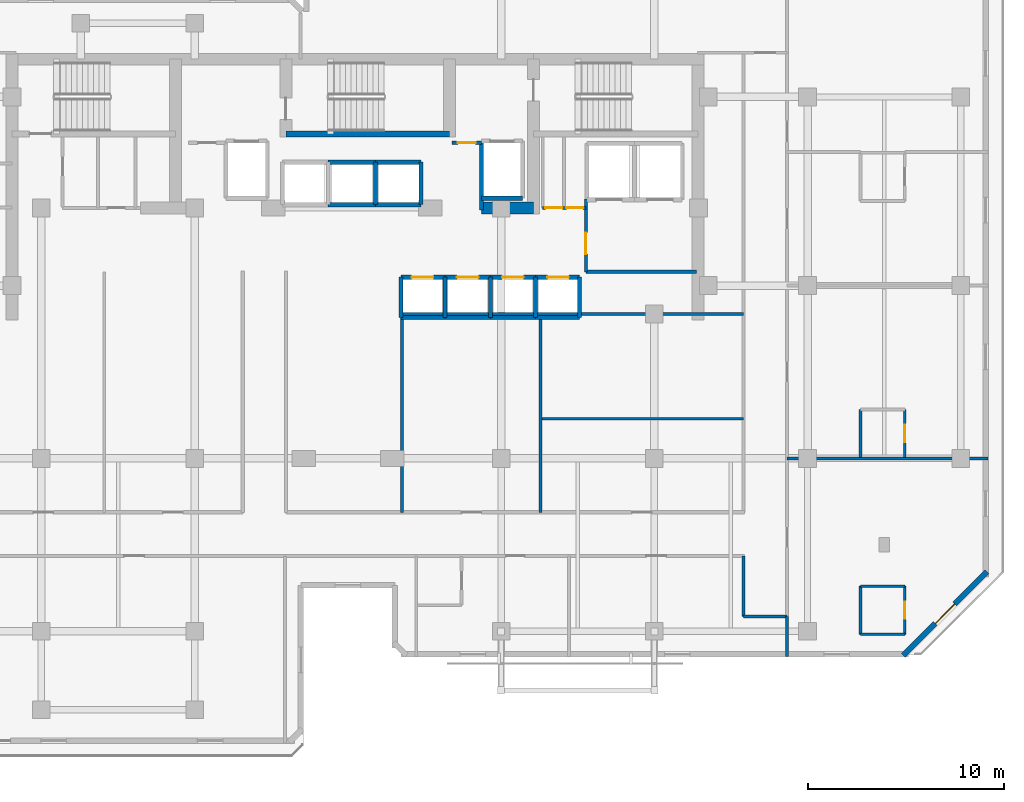
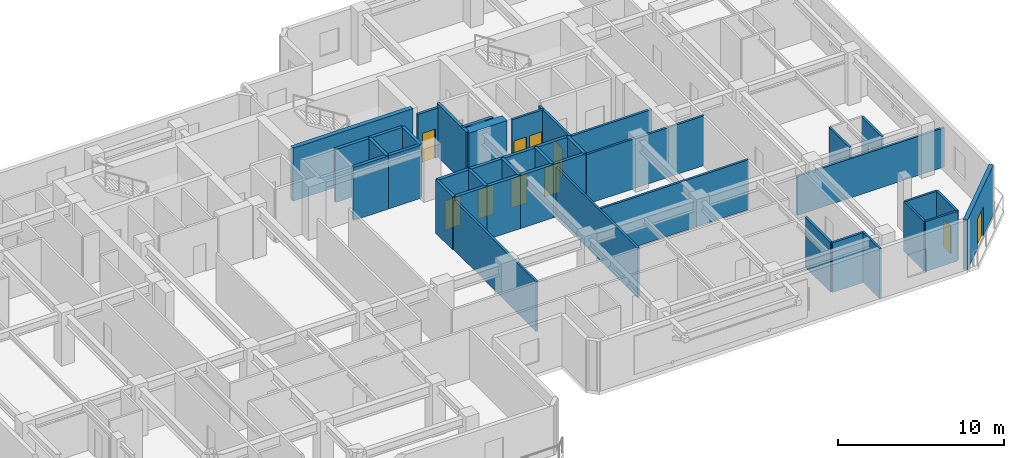
# One storey, part 6 of 10: 42 walls, 11 doors, 11 openings.
"""IFC4 building model written with IfcOpenShell, lengths in metres."""

from ifc_helpers import new_model, si_unit, direction, frame, frame_2d, origin, place, context, subcontext, project, spatial, rectangle, extrude, material, layer, layer_set, type_object, element, fill, save


model = new_model("IFC4")

# Units and contexts
model_context = context("Model", 3, precision=1e-05, world=origin(), true_north=direction((0.0, 1.0)))
body_context = subcontext(model_context, "Body", "Model", "MODEL_VIEW")
ifc_project = project(units=[si_unit("LENGTHUNIT", "METRE"), si_unit("AREAUNIT", "SQUARE_METRE"), si_unit("VOLUMEUNIT", "CUBIC_METRE"), si_unit("PLANEANGLEUNIT", "RADIAN"), si_unit("MASSUNIT", "GRAM", prefix="KILO")], contexts=[model_context])

# Site, building, storey
site_placement = place(None, origin())
site = spatial("IfcSite", under=ifc_project, at=site_placement, CompositionType="ELEMENT")
building_placement = place(site_placement, origin())
building = spatial("IfcBuilding", under=site, at=building_placement, Name="Kestravale Grand Hotel", CompositionType="ELEMENT")
storey_placement = place(building_placement, frame((0.0, 0.0, 189.0)))
storey = spatial("IfcBuildingStorey", under=building, at=storey_placement, Name="L47", CompositionType="ELEMENT", Elevation=189.0)

# Wall
ifc_material_1 = material(Name="Concrete f'c 50 MPa", Category="concrete")
ifc_layer_1 = layer(ifc_material_1, 0.60009765625)
ifc_layer_set_1 = layer_set([ifc_layer_1], Name="EW-CORE-600")
wall_type_1 = type_object("IfcWallType", Name="EW-CORE-600", PredefinedType="SHEAR", material=ifc_layer_set_1)
wall_1_placement = place(storey_placement, frame((45.81005859375, 32.75, 0.0), z_axis=(0.0, 0.0, 1.0), x_axis=(1.0, 0.0, 0.0)))
element("IfcWall", 1, at=wall_1_placement, inside=storey, type_object=wall_type_1, Name="L47 core shear wall S2", PredefinedType="SHEAR", context=body_context, shape_type="SweptSolid", body=[
    extrude(rectangle(XDim=2.639892578125, YDim=0.60009765625, at=frame_2d((1.31982421875, 0.0))), origin(), (0.0, 0.0, 1.0), 3.89990234375),
])

# Wall, opening, door
ifc_material_2 = material(Name="Precast concrete f'c 45 MPa", Category="concrete")
ifc_layer_2 = layer(ifc_material_2, 0.280029296875)
ifc_layer_set_2 = layer_set([ifc_layer_2], Name="EW-PREC-280")
wall_type_2 = type_object("IfcWallType", Name="EW-PREC-280", PredefinedType="SOLIDWALL", material=ifc_layer_set_2)
wall_2_placement = place(storey_placement, frame((67.272705078125, 9.970703125, 0.0), z_axis=(0.0, 0.0, 1.0), x_axis=(0.707106781187, 0.707106781187, 0.0)))
wall_2 = element("IfcWall", 2, at=wall_2_placement, inside=storey, type_object=wall_type_2, Name="L47 fluted precast facade wall 8", PredefinedType="SOLIDWALL", context=body_context, shape_type="SweptSolid", body=[
    extrude(rectangle(XDim=6.019775390625, YDim=0.280029296875, at=frame_2d((3.009765625, 0.0))), origin(), (0.0, 0.0, 1.0), 3.64990234375),
])
opening_1_placement = place(wall_2_placement, frame((2.309814453125, 0.0, 0.0)))
opening_1 = element("IfcOpeningElement", 3, at=opening_1_placement, cuts=wall_2, Name="Opening D-TERR-1400", PredefinedType="OPENING", context=body_context, shape_type="SweptSolid", body=[
    extrude(rectangle(XDim=1.39990234375, YDim=2.14990234375, at=frame_2d((0.699951171875, 1.074951171875))), frame((0.0, 0.14990234375, 0.0), z_axis=(0.0, -1.0, 0.0), x_axis=(1.0, 0.0, 0.0)), (0.0, 0.0, 1.0), 0.300048828125),
])
ifc_material_3 = material(Name="Insulated glazed champagne-bronze aluminium door", Category="aluminium")
door_type_1 = type_object("IfcDoorType", Name="D-TERR-1400", OperationType="NOTDEFINED", PredefinedType="DOOR", material=ifc_material_3)
door_1_placement = place(opening_1_placement, origin())
door_1 = element("IfcDoor", 4, at=door_1_placement, inside=storey, type_object=door_type_1, Name="L47 outdoor garden terrace door", OperationType="DOUBLE_DOOR_SINGLE_SWING", OverallHeight=2.14990234375, OverallWidth=1.39990234375, PredefinedType="DOOR", context=body_context, shape_type="SweptSolid", body=[
    extrude(rectangle(XDim=1.39990234375, YDim=2.14990234375, at=frame_2d((0.699951171875, 1.074951171875))), frame((0.0, 0.02490234375, 0.0), z_axis=(0.0, -1.0, 0.0), x_axis=(1.0, 0.0, 0.0)), (0.0, 0.0, 1.0), 0.050048828125),
])
fill(opening_1, door_1)

# Wall
ifc_material_4 = material(Name="Concrete f'c 45 MPa", Category="concrete")
ifc_layer_3 = layer(ifc_material_4, 0.300048828125)
ifc_layer_set_3 = layer_set([ifc_layer_3], Name="EW-STAIR-300")
wall_type_3 = type_object("IfcWallType", Name="EW-STAIR-300", PredefinedType="SHEAR", material=ifc_layer_set_3)
wall_3_placement = place(storey_placement, frame((35.85009765625, 36.52001953125, 0.0), z_axis=(0.0, 0.0, 1.0), x_axis=(1.0, 0.0, 0.0)))
element("IfcWall", 5, at=wall_3_placement, inside=storey, type_object=wall_type_3, Name="L47 stair enclosure shear wall SST2", PredefinedType="SHEAR", context=body_context, shape_type="SweptSolid", body=[
    extrude(rectangle(XDim=8.329833984375, YDim=0.300048828125, at=frame_2d((4.1650390625, 0.0))), origin(), (0.0, 0.0, 1.0), 3.89990234375),
])

# Wall, opening, door
ifc_material_5 = material(Name="Acoustic fire-rated gypsum board partition", Category="other")
ifc_layer_4 = layer(ifc_material_5, 0.159912109375)
ifc_layer_set_4 = layer_set([ifc_layer_4], Name="IW-CORR-160")
wall_type_4 = type_object("IfcWallType", Name="IW-CORR-160", PredefinedType="PARTITIONING", material=ifc_layer_set_4)
wall_4_placement = place(storey_placement, frame((51.1201171875, 29.5, 0.0), z_axis=(0.0, 0.0, 1.0), x_axis=(0.0, 1.0, 0.0)))
wall_4 = element("IfcWall", 6, at=wall_4_placement, inside=storey, type_object=wall_type_4, Name="W-L47-SVCLOB-W", PredefinedType="PARTITIONING", context=body_context, shape_type="SweptSolid", body=[
    extrude(rectangle(XDim=3.699951171875, YDim=0.159912109375, at=frame_2d((1.85009765625, 0.0))), origin(), (0.0, 0.0, 1.0), 3.64990234375),
])
opening_2_placement = place(wall_4_placement, frame((0.89990234375, 0.0, 0.0)))
opening_2 = element("IfcOpeningElement", 7, at=opening_2_placement, cuts=wall_4, Name="Opening D-CORR-1100", PredefinedType="OPENING", context=body_context, shape_type="SweptSolid", body=[
    extrude(rectangle(XDim=1.10009765625, YDim=2.14990234375, at=frame_2d((0.550048828125, 1.074951171875))), frame((0.0, 0.08984375, 0.0), z_axis=(0.0, -1.0, 0.0), x_axis=(1.0, 0.0, 0.0)), (0.0, 0.0, 1.0), 0.179931640625),
])
ifc_material_6 = material(Name="Single-leaf service vestibule fire door", Category="steel")
door_type_2 = type_object("IfcDoorType", Name="D-CORR-1100", OperationType="NOTDEFINED", PredefinedType="DOOR", material=ifc_material_6)
door_2_placement = place(opening_2_placement, origin())
door_2 = element("IfcDoor", 8, at=door_2_placement, inside=storey, type_object=door_type_2, Name="L47 service lift lobby door", OperationType="SINGLE_SWING_LEFT", OverallHeight=2.14990234375, OverallWidth=1.10009765625, PredefinedType="DOOR", context=body_context, shape_type="SweptSolid", body=[
    extrude(rectangle(XDim=1.10009765625, YDim=2.14990234375, at=frame_2d((0.550048828125, 1.074951171875))), frame((0.0, 0.02490234375, 0.0), z_axis=(0.0, -1.0, 0.0), x_axis=(1.0, 0.0, 0.0)), (0.0, 0.0, 1.0), 0.050048828125),
])
fill(opening_2, door_2)

# Wall
wall_5_placement = place(storey_placement, frame((51.1201171875, 29.5, 0.0), z_axis=(0.0, 0.0, 1.0), x_axis=(1.0, 0.0, 0.0)))
element("IfcWall", 9, at=wall_5_placement, inside=storey, type_object=wall_type_4, Name="L47 service lift lobby wall", PredefinedType="PARTITIONING", context=body_context, shape_type="SweptSolid", body=[
    extrude(rectangle(XDim=5.6298828125, YDim=0.159912109375, at=frame_2d((2.81494140625, 0.0))), origin(), (0.0, 0.0, 1.0), 3.64990234375),
])

# Wall, openings, doors
wall_6_placement = place(storey_placement, frame((48.919921875, 32.75, 0.0), z_axis=(0.0, 0.0, 1.0), x_axis=(1.0, 0.0, 0.0)))
wall_6 = element("IfcWall", 10, at=wall_6_placement, inside=storey, type_object=wall_type_4, Name="W-L47-CES", PredefinedType="PARTITIONING", context=body_context, shape_type="SweptSolid", body=[
    extrude(rectangle(XDim=2.2001953125, YDim=0.159912109375, at=frame_2d((1.10009765625, 0.0))), origin(), (0.0, 0.0, 1.0), 3.64990234375),
])
opening_3_placement = place(wall_6_placement, frame((0.139892578125, 0.0, 0.0)))
opening_3 = element("IfcOpeningElement", 11, at=opening_3_placement, cuts=wall_6, Name="Opening D-SH-860", PredefinedType="OPENING", context=body_context, shape_type="SweptSolid", body=[
    extrude(rectangle(XDim=0.860107421875, YDim=2.050048828125, at=frame_2d((0.43017578125, 1.02490234375))), frame((0.0, 0.08984375, 0.0), z_axis=(0.0, -1.0, 0.0), x_axis=(1.0, 0.0, 0.0)), (0.0, 0.0, 1.0), 0.179931640625),
])
opening_4_placement = place(wall_6_placement, frame((1.199951171875, 0.0, 0.0)))
opening_4 = element("IfcOpeningElement", 12, at=opening_4_placement, cuts=wall_6, Name="Opening D-SH-860", PredefinedType="OPENING", context=body_context, shape_type="SweptSolid", body=[
    extrude(rectangle(XDim=0.860107421875, YDim=2.050048828125, at=frame_2d((0.43017578125, 1.02490234375))), frame((0.0, 0.08984375, 0.0), z_axis=(0.0, -1.0, 0.0), x_axis=(1.0, 0.0, 0.0)), (0.0, 0.0, 1.0), 0.179931640625),
])
ifc_material_7 = material(Name="Galvanised 90-minute riser fire door", Category="steel")
door_type_3 = type_object("IfcDoorType", Name="D-SH-860", OperationType="NOTDEFINED", PredefinedType="DOOR", material=ifc_material_7)
door_3_placement = place(opening_3_placement, origin())
door_3 = element("IfcDoor", 13, at=door_3_placement, inside=storey, type_object=door_type_3, Name="L47 CSTO1 door", OperationType="SINGLE_SWING_LEFT", OverallHeight=2.050048828125, OverallWidth=0.860107421875, PredefinedType="DOOR", context=body_context, shape_type="SweptSolid", body=[
    extrude(rectangle(XDim=0.860107421875, YDim=2.050048828125, at=frame_2d((0.43017578125, 1.02490234375))), frame((0.0, 0.02490234375, 0.0), z_axis=(0.0, -1.0, 0.0), x_axis=(1.0, 0.0, 0.0)), (0.0, 0.0, 1.0), 0.050048828125),
])
fill(opening_3, door_3)
door_4_placement = place(opening_4_placement, origin())
door_4 = element("IfcDoor", 14, at=door_4_placement, inside=storey, type_object=door_type_3, Name="L47 CSTO2 door", OperationType="SINGLE_SWING_RIGHT", OverallHeight=2.050048828125, OverallWidth=0.860107421875, PredefinedType="DOOR", context=body_context, shape_type="SweptSolid", body=[
    extrude(rectangle(XDim=0.860107421875, YDim=2.050048828125, at=frame_2d((0.43017578125, 1.02490234375))), frame((0.0, 0.02490234375, 0.0), z_axis=(0.0, -1.0, 0.0), x_axis=(1.0, 0.0, 0.0)), (0.0, 0.0, 1.0), 0.050048828125),
])
fill(opening_4, door_4)

# Wall
wall_7_placement = place(storey_placement, frame((59.139892578125, 11.949951171875, 0.0), z_axis=(0.0, 0.0, 1.0), x_axis=(0.0, 1.0, 0.0)))
element("IfcWall", 15, at=wall_7_placement, inside=storey, type_object=wall_type_4, Name="W-L47-SE-W", PredefinedType="PARTITIONING", context=body_context, shape_type="SweptSolid", body=[
    extrude(rectangle(XDim=3.090087890625, YDim=0.159912109375, at=frame_2d((1.544921875, 0.0))), origin(), (0.0, 0.0, 1.0), 3.64990234375),
])

# Wall, opening, door
ifc_material_8 = material(Name="Fire-rated gypsum board on steel studs with mineral wool", Category="steel")
ifc_layer_5 = layer(ifc_material_8, 0.179931640625)
ifc_layer_set_5 = layer_set([ifc_layer_5], Name="IW-FSAE-180")
wall_type_5 = type_object("IfcWallType", Name="IW-FSAE-180", PredefinedType="PARTITIONING", material=ifc_layer_set_5)
wall_8_placement = place(storey_placement, frame((44.300048828125, 36.080078125, 0.0), z_axis=(0.0, 0.0, 1.0), x_axis=(1.0, 0.0, 0.0)))
wall_8 = element("IfcWall", 16, at=wall_8_placement, inside=storey, type_object=wall_type_5, Name="L47 FSAE Lobby 2 smoke barrier", PredefinedType="PARTITIONING", context=body_context, shape_type="SweptSolid", body=[
    extrude(rectangle(XDim=1.5, YDim=0.179931640625, at=frame_2d((0.75, 0.0))), origin(), (0.0, 0.0, 1.0), 3.64990234375),
])
opening_5_placement = place(wall_8_placement, frame((0.300048828125, 0.0, 0.0)))
opening_5 = element("IfcOpeningElement", 17, at=opening_5_placement, cuts=wall_8, Name="Opening D-FSAE-1000", PredefinedType="OPENING", context=body_context, shape_type="SweptSolid", body=[
    extrude(rectangle(XDim=0.89990234375, YDim=2.14990234375, at=frame_2d((0.449951171875, 1.074951171875))), frame((0.0, 0.099853515625, 0.0), z_axis=(0.0, -1.0, 0.0), x_axis=(1.0, 0.0, 0.0)), (0.0, 0.0, 1.0), 0.199951171875),
])
ifc_material_9 = material(Name="Smoke-gasketed FSAE lobby fire door", Category="steel")
door_type_4 = type_object("IfcDoorType", Name="D-FSAE-1000", OperationType="NOTDEFINED", PredefinedType="DOOR", material=ifc_material_9)
door_5_placement = place(opening_5_placement, origin())
door_5 = element("IfcDoor", 18, at=door_5_placement, inside=storey, type_object=door_type_4, Name="L47 FSAE Lobby 2 fire door", OperationType="SINGLE_SWING_LEFT", OverallHeight=2.14990234375, OverallWidth=0.89990234375, PredefinedType="DOOR", context=body_context, shape_type="SweptSolid", body=[
    extrude(rectangle(XDim=0.89990234375, YDim=2.14990234375, at=frame_2d((0.449951171875, 1.074951171875))), frame((0.0, 0.02490234375, 0.0), z_axis=(0.0, -1.0, 0.0), x_axis=(1.0, 0.0, 0.0)), (0.0, 0.0, 1.0), 0.050048828125),
])
fill(opening_5, door_5)

# Wall
ifc_material_10 = material(Name="Moisture-resistant tile-backer plumbing chase wall", Category="other")
ifc_layer_6 = layer(ifc_material_10, 0.139892578125)
ifc_layer_set_6 = layer_set([ifc_layer_6], Name="IW-PLB-140")
wall_type_6 = type_object("IfcWallType", Name="IW-PLB-140", PredefinedType="PLUMBINGWALL", material=ifc_layer_set_6)
wall_9_placement = place(storey_placement, frame((65.10009765625, 11.050048828125, 0.0), z_axis=(0.0, 0.0, 1.0), x_axis=(0.0, 1.0, 0.0)))
element("IfcWall", 19, at=wall_9_placement, inside=storey, type_object=wall_type_6, Name="W-L47-U05-BW", PredefinedType="PLUMBINGWALL", context=body_context, shape_type="SweptSolid", body=[
    extrude(rectangle(XDim=2.449951171875, YDim=0.139892578125, at=frame_2d((1.22509765625, 0.0))), origin(), (0.0, 0.0, 1.0), 3.64990234375),
])

# Wall, opening, door
wall_10_placement = place(storey_placement, frame((67.35009765625, 11.050048828125, 0.0), z_axis=(0.0, 0.0, 1.0), x_axis=(0.0, 1.0, 0.0)))
wall_10 = element("IfcWall", 20, at=wall_10_placement, inside=storey, type_object=wall_type_6, Name="W-L47-U05-BE", PredefinedType="PLUMBINGWALL", context=body_context, shape_type="SweptSolid", body=[
    extrude(rectangle(XDim=2.449951171875, YDim=0.139892578125, at=frame_2d((1.22509765625, 0.0))), origin(), (0.0, 0.0, 1.0), 3.64990234375),
])
opening_6_placement = place(wall_10_placement, frame((0.784912109375, 0.0, 0.0)))
opening_6 = element("IfcOpeningElement", 21, at=opening_6_placement, cuts=wall_10, Name="Opening D-BATH-880", PredefinedType="OPENING", context=body_context, shape_type="SweptSolid", body=[
    extrude(rectangle(XDim=0.8798828125, YDim=2.050048828125, at=frame_2d((0.43994140625, 1.02490234375))), frame((0.0, 0.079833984375, 0.0), z_axis=(0.0, -1.0, 0.0), x_axis=(1.0, 0.0, 0.0)), (0.0, 0.0, 1.0), 0.159912109375),
])
ifc_material_11 = material(Name="Moisture-sealed walnut en-suite bathroom door", Category="wood")
door_type_5 = type_object("IfcDoorType", Name="D-BATH-880", OperationType="NOTDEFINED", PredefinedType="DOOR", material=ifc_material_11)
door_6_placement = place(opening_6_placement, origin())
door_6 = element("IfcDoor", 22, at=door_6_placement, inside=storey, type_object=door_type_5, Name="D-L47-U05-BATH", OperationType="SINGLE_SWING_RIGHT", OverallHeight=2.050048828125, OverallWidth=0.8798828125, PredefinedType="DOOR", context=body_context, shape_type="SweptSolid", body=[
    extrude(rectangle(XDim=0.8798828125, YDim=2.050048828125, at=frame_2d((0.43994140625, 1.02490234375))), frame((0.0, 0.02490234375, 0.0), z_axis=(0.0, -1.0, 0.0), x_axis=(1.0, 0.0, 0.0)), (0.0, 0.0, 1.0), 0.050048828125),
])
fill(opening_6, door_6)

# Walls
for number, where, z_axis, x_axis, name in (
    (23, (65.10009765625, 11.050048828125, 0.0), (0.0, 0.0, 1.0), (1.0, 0.0, 0.0), "W-L47-U05-BS"),
    (24, (65.10009765625, 13.5, 0.0), (0.0, 0.0, 1.0), (1.0, 0.0, 0.0), "W-L47-U05-BN"),
):
    element("IfcWall", number, at=place(storey_placement, frame(where, z_axis=z_axis, x_axis=x_axis)), inside=storey, type_object=wall_type_6, Name=name, PredefinedType="PLUMBINGWALL", context=body_context, shape_type="SweptSolid", body=[
        extrude(rectangle(XDim=2.25, YDim=0.139892578125, at=frame_2d((1.125, 0.0))), origin(), (0.0, 0.0, 1.0), 3.64990234375),
    ])
wall_11_placement = place(storey_placement, frame((65.10009765625, 20.0400390625, 0.0), z_axis=(0.0, 0.0, 1.0), x_axis=(0.0, 1.0, 0.0)))
element("IfcWall", 25, at=wall_11_placement, inside=storey, type_object=wall_type_6, Name="W-L47-U06-BW", PredefinedType="PLUMBINGWALL", context=body_context, shape_type="SweptSolid", body=[
    extrude(rectangle(XDim=2.449951171875, YDim=0.139892578125, at=frame_2d((1.22509765625, 0.0))), origin(), (0.0, 0.0, 1.0), 3.64990234375),
])

# Wall, opening, door
wall_12_placement = place(storey_placement, frame((67.35009765625, 20.0400390625, 0.0), z_axis=(0.0, 0.0, 1.0), x_axis=(0.0, 1.0, 0.0)))
wall_12 = element("IfcWall", 26, at=wall_12_placement, inside=storey, type_object=wall_type_6, Name="W-L47-U06-BE", PredefinedType="PLUMBINGWALL", context=body_context, shape_type="SweptSolid", body=[
    extrude(rectangle(XDim=2.449951171875, YDim=0.139892578125, at=frame_2d((1.22509765625, 0.0))), origin(), (0.0, 0.0, 1.0), 3.64990234375),
])
opening_7_placement = place(wall_12_placement, frame((0.784912109375, 0.0, 0.0)))
opening_7 = element("IfcOpeningElement", 27, at=opening_7_placement, cuts=wall_12, Name="Opening D-BATH-880", PredefinedType="OPENING", context=body_context, shape_type="SweptSolid", body=[
    extrude(rectangle(XDim=0.8798828125, YDim=2.050048828125, at=frame_2d((0.43994140625, 1.02490234375))), frame((0.0, 0.079833984375, 0.0), z_axis=(0.0, -1.0, 0.0), x_axis=(1.0, 0.0, 0.0)), (0.0, 0.0, 1.0), 0.159912109375),
])
door_7_placement = place(opening_7_placement, origin())
door_7 = element("IfcDoor", 28, at=door_7_placement, inside=storey, type_object=door_type_5, Name="D-L47-U06-BATH", OperationType="SINGLE_SWING_RIGHT", OverallHeight=2.050048828125, OverallWidth=0.8798828125, PredefinedType="DOOR", context=body_context, shape_type="SweptSolid", body=[
    extrude(rectangle(XDim=0.8798828125, YDim=2.050048828125, at=frame_2d((0.43994140625, 1.02490234375))), frame((0.0, 0.02490234375, 0.0), z_axis=(0.0, -1.0, 0.0), x_axis=(1.0, 0.0, 0.0)), (0.0, 0.0, 1.0), 0.050048828125),
])
fill(opening_7, door_7)

# Walls
ifc_material_12 = material(Name="Concrete f'c 45 MPa", Category="concrete")
ifc_layer_7 = layer(ifc_material_12, 0.199951171875)
ifc_layer_set_7 = layer_set([ifc_layer_7], Name="IW-SHAFT-200")
wall_type_7 = type_object("IfcWallType", Name="IW-SHAFT-200", PredefinedType="SHEAR", material=ifc_layer_set_7)
for number, where, z_axis, x_axis, name in (
    (29, (41.705078125, 27.169921875, 0.0), (0.0, 0.0, 1.0), (0.0, 1.0, 0.0), "L47 PL-M1 west shaft wall"),
    (30, (43.949951171875, 27.169921875, 0.0), (0.0, 0.0, 1.0), (0.0, 1.0, 0.0), "L47 PL-M2 west shaft wall"),
    (31, (46.25, 27.169921875, 0.0), (0.0, 0.0, 1.0), (0.0, 1.0, 0.0), "L47 PL-M3 west shaft wall"),
    (32, (48.550048828125, 27.169921875, 0.0), (0.0, 0.0, 1.0), (0.0, 1.0, 0.0), "L47 PL-M4 west shaft wall"),
    (33, (50.794921875, 27.169921875, 0.0), (0.0, 0.0, 1.0), (0.0, 1.0, 0.0), "L47 PL-M4 east shaft wall"),
):
    element("IfcWall", number, at=place(storey_placement, frame(where, z_axis=z_axis, x_axis=x_axis)), inside=storey, type_object=wall_type_7, Name=name, PredefinedType="SHEAR", context=body_context, shape_type="SweptSolid", body=[
        extrude(rectangle(XDim=2.06005859375, YDim=0.199951171875, at=frame_2d((1.030029296875, 0.0))), origin(), (0.0, 0.0, 1.0), 3.89990234375),
    ])
for number, where, z_axis, x_axis, name in (
    (34, (40.39990234375, 32.919921875, 0.0), (0.0, 0.0, 1.0), (0.0, 1.0, 0.0), "L47 PL-X3 west shaft wall"),
    (35, (42.719970703125, 32.919921875, 0.0), (0.0, 0.0, 1.0), (0.0, 1.0, 0.0), "L47 PL-X3 east shaft wall"),
):
    element("IfcWall", number, at=place(storey_placement, frame(where, z_axis=z_axis, x_axis=x_axis)), inside=storey, type_object=wall_type_7, Name=name, PredefinedType="SHEAR", context=body_context, shape_type="SweptSolid", body=[
        extrude(rectangle(XDim=2.16015625, YDim=0.199951171875, at=frame_2d((1.080078125, 0.0))), origin(), (0.0, 0.0, 1.0), 3.89990234375),
    ])
wall_13_placement = place(storey_placement, frame((45.804931640625, 32.64990234375, 0.0), z_axis=(0.0, 0.0, 1.0), x_axis=(0.0, 1.0, 0.0)))
element("IfcWall", 36, at=wall_13_placement, inside=storey, type_object=wall_type_7, Name="L47 FL-2 west shaft wall", PredefinedType="SHEAR", context=body_context, shape_type="SweptSolid", body=[
    extrude(rectangle(XDim=3.505126953125, YDim=0.199951171875, at=frame_2d((1.75244140625, 0.0))), origin(), (0.0, 0.0, 1.0), 3.89990234375),
])

# Wall, opening, door
ifc_material_13 = material(Name="Concrete f'c 45 MPa", Category="concrete")
ifc_layer_8 = layer(ifc_material_13, 0.219970703125)
ifc_layer_set_8 = layer_set([ifc_layer_8], Name="IW-SHAFT-220")
wall_type_8 = type_object("IfcWallType", Name="IW-SHAFT-220", PredefinedType="SHEAR", material=ifc_layer_set_8)
wall_14_placement = place(storey_placement, frame((41.705078125, 29.22998046875, 0.0), z_axis=(0.0, 0.0, 1.0), x_axis=(1.0, 0.0, 0.0)))
wall_14 = element("IfcWall", 37, at=wall_14_placement, inside=storey, type_object=wall_type_8, Name="L47 PL-M1 north shaft wall", PredefinedType="SHEAR", context=body_context, shape_type="SweptSolid", body=[
    extrude(rectangle(XDim=2.244873046875, YDim=0.219970703125, at=frame_2d((1.12255859375, 0.0))), origin(), (0.0, 0.0, 1.0), 3.89990234375),
])
opening_8_placement = place(wall_14_placement, frame((0.544921875, 0.0, 0.0)))
opening_8 = element("IfcOpeningElement", 38, at=opening_8_placement, cuts=wall_14, Name="Opening LD-PAX-1100", PredefinedType="OPENING", context=body_context, shape_type="SweptSolid", body=[
    extrude(rectangle(XDim=1.10009765625, YDim=2.14990234375, at=frame_2d((0.550048828125, 1.074951171875))), frame((0.0, 0.119873046875, 0.0), z_axis=(0.0, -1.0, 0.0), x_axis=(1.0, 0.0, 0.0)), (0.0, 0.0, 1.0), 0.239990234375),
])
ifc_material_14 = material(Name="Champagne-bronze center-opening sliding elevator landing door", Category="steel")
door_type_6 = type_object("IfcDoorType", Name="LD-PAX-1100", OperationType="NOTDEFINED", PredefinedType="DOOR", material=ifc_material_14)
door_8_placement = place(opening_8_placement, origin())
door_8 = element("IfcDoor", 39, at=door_8_placement, inside=storey, type_object=door_type_6, Name="L47 PL-M1 elevator landing sliding door", OperationType="DOUBLE_DOOR_SLIDING", OverallHeight=2.14990234375, OverallWidth=1.10009765625, PredefinedType="DOOR", context=body_context, shape_type="SweptSolid", body=[
    extrude(rectangle(XDim=1.10009765625, YDim=2.14990234375, at=frame_2d((0.550048828125, 1.074951171875))), frame((0.0, 0.02490234375, 0.0), z_axis=(0.0, -1.0, 0.0), x_axis=(1.0, 0.0, 0.0)), (0.0, 0.0, 1.0), 0.050048828125),
])
fill(opening_8, door_8)

# Wall
wall_15_placement = place(storey_placement, frame((41.705078125, 27.169921875, 0.0), z_axis=(0.0, 0.0, 1.0), x_axis=(1.0, 0.0, 0.0)))
element("IfcWall", 40, at=wall_15_placement, inside=storey, type_object=wall_type_8, Name="L47 PL-M1 south shaft wall", PredefinedType="SHEAR", context=body_context, shape_type="SweptSolid", body=[
    extrude(rectangle(XDim=2.244873046875, YDim=0.219970703125, at=frame_2d((1.12255859375, 0.0))), origin(), (0.0, 0.0, 1.0), 3.89990234375),
])

# Wall, opening, door
wall_16_placement = place(storey_placement, frame((43.949951171875, 29.22998046875, 0.0), z_axis=(0.0, 0.0, 1.0), x_axis=(1.0, 0.0, 0.0)))
wall_16 = element("IfcWall", 41, at=wall_16_placement, inside=storey, type_object=wall_type_8, Name="L47 PL-M2 north shaft wall", PredefinedType="SHEAR", context=body_context, shape_type="SweptSolid", body=[
    extrude(rectangle(XDim=2.300048828125, YDim=0.219970703125, at=frame_2d((1.14990234375, 0.0))), origin(), (0.0, 0.0, 1.0), 3.89990234375),
])
opening_9_placement = place(wall_16_placement, frame((0.60009765625, 0.0, 0.0)))
opening_9 = element("IfcOpeningElement", 42, at=opening_9_placement, cuts=wall_16, Name="Opening LD-PAX-1100", PredefinedType="OPENING", context=body_context, shape_type="SweptSolid", body=[
    extrude(rectangle(XDim=1.10009765625, YDim=2.14990234375, at=frame_2d((0.550048828125, 1.074951171875))), frame((0.0, 0.119873046875, 0.0), z_axis=(0.0, -1.0, 0.0), x_axis=(1.0, 0.0, 0.0)), (0.0, 0.0, 1.0), 0.239990234375),
])
door_9_placement = place(opening_9_placement, origin())
door_9 = element("IfcDoor", 43, at=door_9_placement, inside=storey, type_object=door_type_6, Name="L47 PL-M2 elevator landing sliding door", OperationType="DOUBLE_DOOR_SLIDING", OverallHeight=2.14990234375, OverallWidth=1.10009765625, PredefinedType="DOOR", context=body_context, shape_type="SweptSolid", body=[
    extrude(rectangle(XDim=1.10009765625, YDim=2.14990234375, at=frame_2d((0.550048828125, 1.074951171875))), frame((0.0, 0.02490234375, 0.0), z_axis=(0.0, -1.0, 0.0), x_axis=(1.0, 0.0, 0.0)), (0.0, 0.0, 1.0), 0.050048828125),
])
fill(opening_9, door_9)

# Wall
wall_17_placement = place(storey_placement, frame((43.949951171875, 27.169921875, 0.0), z_axis=(0.0, 0.0, 1.0), x_axis=(1.0, 0.0, 0.0)))
element("IfcWall", 44, at=wall_17_placement, inside=storey, type_object=wall_type_8, Name="L47 PL-M2 south shaft wall", PredefinedType="SHEAR", context=body_context, shape_type="SweptSolid", body=[
    extrude(rectangle(XDim=2.300048828125, YDim=0.219970703125, at=frame_2d((1.14990234375, 0.0))), origin(), (0.0, 0.0, 1.0), 3.89990234375),
])

# Wall, opening, door
wall_18_placement = place(storey_placement, frame((46.25, 29.22998046875, 0.0), z_axis=(0.0, 0.0, 1.0), x_axis=(1.0, 0.0, 0.0)))
wall_18 = element("IfcWall", 45, at=wall_18_placement, inside=storey, type_object=wall_type_8, Name="L47 PL-M3 north shaft wall", PredefinedType="SHEAR", context=body_context, shape_type="SweptSolid", body=[
    extrude(rectangle(XDim=2.300048828125, YDim=0.219970703125, at=frame_2d((1.14990234375, 0.0))), origin(), (0.0, 0.0, 1.0), 3.89990234375),
])
opening_10_placement = place(wall_18_placement, frame((0.60009765625, 0.0, 0.0)))
opening_10 = element("IfcOpeningElement", 46, at=opening_10_placement, cuts=wall_18, Name="Opening LD-PAX-1100", PredefinedType="OPENING", context=body_context, shape_type="SweptSolid", body=[
    extrude(rectangle(XDim=1.10009765625, YDim=2.14990234375, at=frame_2d((0.550048828125, 1.074951171875))), frame((0.0, 0.119873046875, 0.0), z_axis=(0.0, -1.0, 0.0), x_axis=(1.0, 0.0, 0.0)), (0.0, 0.0, 1.0), 0.239990234375),
])
door_10_placement = place(opening_10_placement, origin())
door_10 = element("IfcDoor", 47, at=door_10_placement, inside=storey, type_object=door_type_6, Name="L47 PL-M3 elevator landing sliding door", OperationType="DOUBLE_DOOR_SLIDING", OverallHeight=2.14990234375, OverallWidth=1.10009765625, PredefinedType="DOOR", context=body_context, shape_type="SweptSolid", body=[
    extrude(rectangle(XDim=1.10009765625, YDim=2.14990234375, at=frame_2d((0.550048828125, 1.074951171875))), frame((0.0, 0.02490234375, 0.0), z_axis=(0.0, -1.0, 0.0), x_axis=(1.0, 0.0, 0.0)), (0.0, 0.0, 1.0), 0.050048828125),
])
fill(opening_10, door_10)

# Wall
wall_19_placement = place(storey_placement, frame((46.25, 27.169921875, 0.0), z_axis=(0.0, 0.0, 1.0), x_axis=(1.0, 0.0, 0.0)))
element("IfcWall", 48, at=wall_19_placement, inside=storey, type_object=wall_type_8, Name="L47 PL-M3 south shaft wall", PredefinedType="SHEAR", context=body_context, shape_type="SweptSolid", body=[
    extrude(rectangle(XDim=2.300048828125, YDim=0.219970703125, at=frame_2d((1.14990234375, 0.0))), origin(), (0.0, 0.0, 1.0), 3.89990234375),
])

# Wall, opening, door
wall_20_placement = place(storey_placement, frame((48.550048828125, 29.22998046875, 0.0), z_axis=(0.0, 0.0, 1.0), x_axis=(1.0, 0.0, 0.0)))
wall_20 = element("IfcWall", 49, at=wall_20_placement, inside=storey, type_object=wall_type_8, Name="L47 PL-M4 north shaft wall", PredefinedType="SHEAR", context=body_context, shape_type="SweptSolid", body=[
    extrude(rectangle(XDim=2.244873046875, YDim=0.219970703125, at=frame_2d((1.12255859375, 0.0))), origin(), (0.0, 0.0, 1.0), 3.89990234375),
])
opening_11_placement = place(wall_20_placement, frame((0.60009765625, 0.0, 0.0)))
opening_11 = element("IfcOpeningElement", 50, at=opening_11_placement, cuts=wall_20, Name="Opening LD-PAX-1100", PredefinedType="OPENING", context=body_context, shape_type="SweptSolid", body=[
    extrude(rectangle(XDim=1.10009765625, YDim=2.14990234375, at=frame_2d((0.550048828125, 1.074951171875))), frame((0.0, 0.119873046875, 0.0), z_axis=(0.0, -1.0, 0.0), x_axis=(1.0, 0.0, 0.0)), (0.0, 0.0, 1.0), 0.239990234375),
])
door_11_placement = place(opening_11_placement, origin())
door_11 = element("IfcDoor", 51, at=door_11_placement, inside=storey, type_object=door_type_6, Name="L47 PL-M4 elevator landing sliding door", OperationType="DOUBLE_DOOR_SLIDING", OverallHeight=2.14990234375, OverallWidth=1.10009765625, PredefinedType="DOOR", context=body_context, shape_type="SweptSolid", body=[
    extrude(rectangle(XDim=1.10009765625, YDim=2.14990234375, at=frame_2d((0.550048828125, 1.074951171875))), frame((0.0, 0.02490234375, 0.0), z_axis=(0.0, -1.0, 0.0), x_axis=(1.0, 0.0, 0.0)), (0.0, 0.0, 1.0), 0.050048828125),
])
fill(opening_11, door_11)

# Walls
wall_21_placement = place(storey_placement, frame((48.550048828125, 27.169921875, 0.0), z_axis=(0.0, 0.0, 1.0), x_axis=(1.0, 0.0, 0.0)))
element("IfcWall", 52, at=wall_21_placement, inside=storey, type_object=wall_type_8, Name="L47 PL-M4 south shaft wall", PredefinedType="SHEAR", context=body_context, shape_type="SweptSolid", body=[
    extrude(rectangle(XDim=2.244873046875, YDim=0.219970703125, at=frame_2d((1.12255859375, 0.0))), origin(), (0.0, 0.0, 1.0), 3.89990234375),
])
for number, where, z_axis, x_axis, name in (
    (53, (38.0, 35.080078125, 0.0), (0.0, 0.0, 1.0), (1.0, 0.0, 0.0), "L47 PL-X2 north shaft wall"),
    (54, (38.0, 32.919921875, 0.0), (0.0, 0.0, 1.0), (1.0, 0.0, 0.0), "L47 PL-X2 south shaft wall"),
):
    element("IfcWall", number, at=place(storey_placement, frame(where, z_axis=z_axis, x_axis=x_axis)), inside=storey, type_object=wall_type_8, Name=name, PredefinedType="SHEAR", context=body_context, shape_type="SweptSolid", body=[
        extrude(rectangle(XDim=2.39990234375, YDim=0.219970703125, at=frame_2d((1.199951171875, 0.0))), origin(), (0.0, 0.0, 1.0), 3.89990234375),
    ])
for number, where, z_axis, x_axis, name in (
    (55, (40.39990234375, 35.080078125, 0.0), (0.0, 0.0, 1.0), (1.0, 0.0, 0.0), "L47 PL-X3 north shaft wall"),
    (56, (40.39990234375, 32.919921875, 0.0), (0.0, 0.0, 1.0), (1.0, 0.0, 0.0), "L47 PL-X3 south shaft wall"),
):
    element("IfcWall", number, at=place(storey_placement, frame(where, z_axis=z_axis, x_axis=x_axis)), inside=storey, type_object=wall_type_8, Name=name, PredefinedType="SHEAR", context=body_context, shape_type="SweptSolid", body=[
        extrude(rectangle(XDim=2.320068359375, YDim=0.219970703125, at=frame_2d((1.16015625, 0.0))), origin(), (0.0, 0.0, 1.0), 3.89990234375),
    ])
wall_22_placement = place(storey_placement, frame((45.804931640625, 33.2451171875, 0.0), z_axis=(0.0, 0.0, 1.0), x_axis=(1.0, 0.0, 0.0)))
element("IfcWall", 57, at=wall_22_placement, inside=storey, type_object=wall_type_8, Name="L47 FL-2 south shaft wall", PredefinedType="SHEAR", context=body_context, shape_type="SweptSolid", body=[
    extrude(rectangle(XDim=2.090087890625, YDim=0.219970703125, at=frame_2d((1.044921875, 0.0))), origin(), (0.0, 0.0, 1.0), 3.89990234375),
])
ifc_material_15 = material(Name="Double-stud STC 52 acoustic demising partition", Category="other")
ifc_layer_9 = layer(ifc_material_15, 0.14990234375)
ifc_layer_set_9 = layer_set([ifc_layer_9], Name="IW-UNIT-150")
wall_type_9 = type_object("IfcWallType", Name="IW-UNIT-150", PredefinedType="PARTITIONING", material=ifc_layer_set_9)
wall_23_placement = place(storey_placement, frame((59.139892578125, 11.949951171875, 0.0), z_axis=(0.0, 0.0, 1.0), x_axis=(1.0, 0.0, 0.0)))
element("IfcWall", 58, at=wall_23_placement, inside=storey, type_object=wall_type_9, Name="W-L47-SE-S", PredefinedType="PARTITIONING", context=body_context, shape_type="SweptSolid", body=[
    extrude(rectangle(XDim=2.22021484375, YDim=0.14990234375, at=frame_2d((1.110107421875, 0.0))), origin(), (0.0, 0.0, 1.0), 3.64990234375),
])
wall_24_placement = place(storey_placement, frame((41.75, 17.260009765625, 0.0), z_axis=(0.0, 0.0, 1.0), x_axis=(0.0, 1.0, 0.0)))
element("IfcWall", 59, at=wall_24_placement, inside=storey, type_object=wall_type_9, Name="W-L47-RCLE-W", PredefinedType="PARTITIONING", context=body_context, shape_type="SweptSolid", body=[
    extrude(rectangle(XDim=9.909912109375, YDim=0.14990234375, at=frame_2d((4.955078125, 0.0))), origin(), (0.0, 0.0, 1.0), 3.64990234375),
])
wall_25_placement = place(storey_placement, frame((48.800048828125, 17.260009765625, 0.0), z_axis=(0.0, 0.0, 1.0), x_axis=(0.0, 1.0, 0.0)))
element("IfcWall", 60, at=wall_25_placement, inside=storey, type_object=wall_type_9, Name="W-L47-RCLE-M", PredefinedType="PARTITIONING", context=body_context, shape_type="SweptSolid", body=[
    extrude(rectangle(XDim=9.889892578125, YDim=0.14990234375, at=frame_2d((4.94482421875, 0.0))), origin(), (0.0, 0.0, 1.0), 3.64990234375),
])
wall_26_placement = place(storey_placement, frame((41.75, 27.35009765625, 0.0), z_axis=(0.0, 0.0, 1.0), x_axis=(1.0, 0.0, 0.0)))
element("IfcWall", 61, at=wall_26_placement, inside=storey, type_object=wall_type_9, Name="W-L47-RCLE-N", PredefinedType="PARTITIONING", context=body_context, shape_type="SweptSolid", body=[
    extrude(rectangle(XDim=17.389892578125, YDim=0.14990234375, at=frame_2d((8.69482421875, 0.0))), origin(), (0.0, 0.0, 1.0), 3.64990234375),
])
wall_27_placement = place(storey_placement, frame((48.800048828125, 22.02001953125, 0.0), z_axis=(0.0, 0.0, 1.0), x_axis=(1.0, 0.0, 0.0)))
element("IfcWall", 62, at=wall_27_placement, inside=storey, type_object=wall_type_9, Name="W-L47-RCLE-H", PredefinedType="PARTITIONING", context=body_context, shape_type="SweptSolid", body=[
    extrude(rectangle(XDim=10.33984375, YDim=0.14990234375, at=frame_2d((5.169921875, 0.0))), origin(), (0.0, 0.0, 1.0), 3.64990234375),
])
wall_28_placement = place(storey_placement, frame((61.360107421875, 9.919921875, 0.0), z_axis=(0.0, 0.0, 1.0), x_axis=(0.0, 1.0, 0.0)))
element("IfcWall", 63, at=wall_28_placement, inside=storey, type_object=wall_type_9, Name="W-L47-SE-EXT", PredefinedType="PARTITIONING", context=body_context, shape_type="SweptSolid", body=[
    extrude(rectangle(XDim=2.030029296875, YDim=0.14990234375, at=frame_2d((1.01513671875, 0.0))), origin(), (0.0, 0.0, 1.0), 3.64990234375),
])
wall_29_placement = place(storey_placement, frame((61.360107421875, 20.0, 0.0), z_axis=(0.0, 0.0, 1.0), x_axis=(1.0, 0.0, 0.0)))
element("IfcWall", 64, at=wall_29_placement, inside=storey, type_object=wall_type_9, Name="W-L47-EW-1", PredefinedType="PARTITIONING", context=body_context, shape_type="SweptSolid", body=[
    extrude(rectangle(XDim=10.219970703125, YDim=0.14990234375, at=frame_2d((5.10986328125, 0.0))), origin(), (0.0, 0.0, 1.0), 2.8779296875),
])

save(model, "model.ifc")
